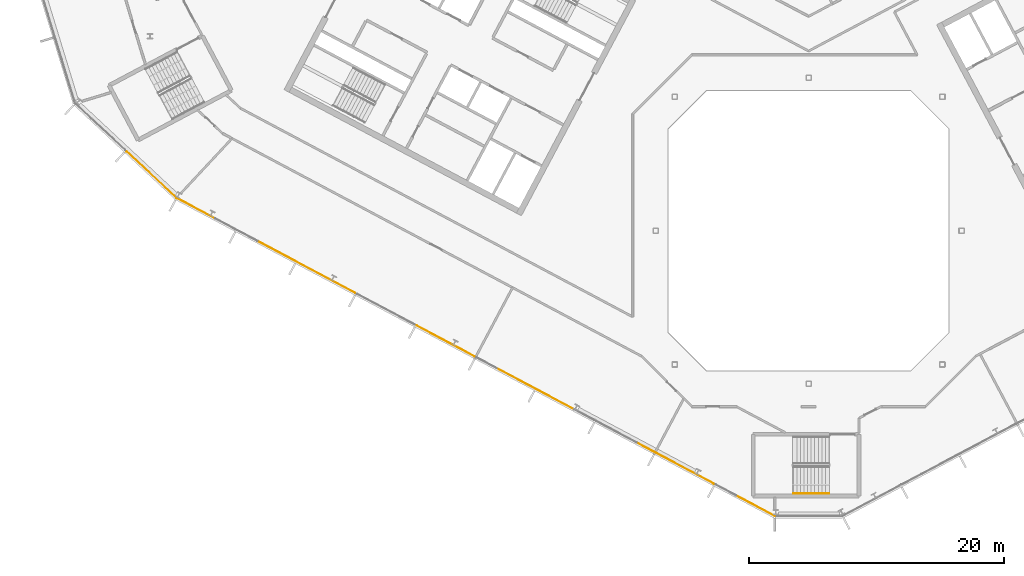
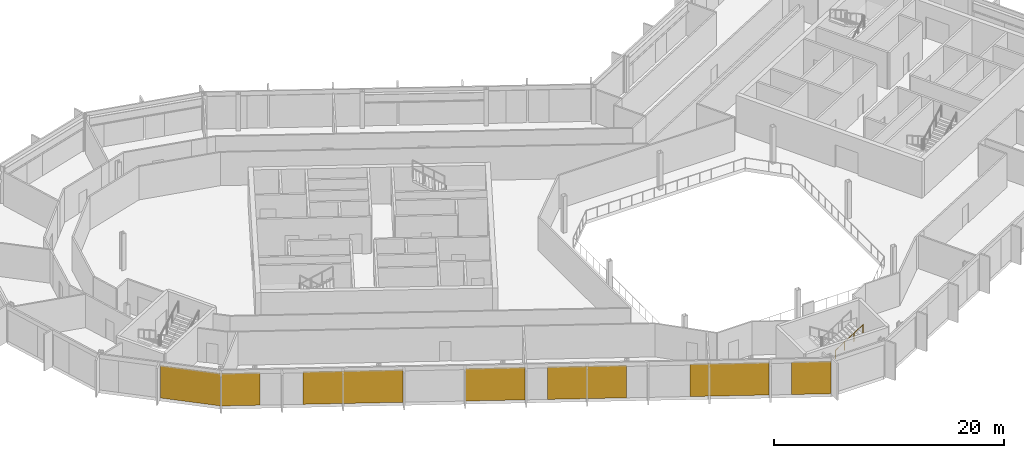
# One storey, part 19 of 26: 7 coverings, 1 railing, 2 elements without a shape of their own.
"""IFC4 building model written with IfcOpenShell, lengths in metres."""

from ifc_helpers import new_model, si_unit, direction, frame, origin, origin_2d, place, context, subcontext, project, spatial, polyline, rectangle, outline, extrude, material, layer, layer_set, type_object, element, aggregate, save


model = new_model("IFC4")

# Units and contexts
model_context = context("Model", 3, precision=1e-05, world=origin(), true_north=direction((0.0, 1.0)))
body_context = subcontext(model_context, "Body", "Model", "MODEL_VIEW")
ifc_project = project(units=[si_unit("LENGTHUNIT", "METRE"), si_unit("AREAUNIT", "SQUARE_METRE"), si_unit("VOLUMEUNIT", "CUBIC_METRE"), si_unit("PLANEANGLEUNIT", "RADIAN"), si_unit("MASSUNIT", "GRAM", prefix="KILO")], contexts=[model_context])

# Site, building, storey
site_placement = place(None, origin())
site = spatial("IfcSite", under=ifc_project, at=site_placement, CompositionType="ELEMENT")
building_placement = place(site_placement, origin())
building = spatial("IfcBuilding", under=site, at=building_placement, Name="Cormorant Relay Tower", CompositionType="ELEMENT")
storey_placement = place(building_placement, frame((0.0, 0.0, 285.300048828125)))
storey = spatial("IfcBuildingStorey", under=building, at=storey_placement, Name="L64", CompositionType="ELEMENT", Elevation=285.300048828125)

# Curtain wall, covering
ifc_material_1 = material(Name="Aluminium 6063-T6 anodised bronze", Category="aluminium")
ifc_layer_1 = layer(ifc_material_1, 0.199951171875)
ifc_layer_set_1 = layer_set([ifc_layer_1], Name="CW1 unitised bronze curtain wall with vertical fins")
curtain_wall_type = type_object("IfcCurtainWallType", Name="CW1 unitised bronze curtain wall with vertical fins", PredefinedType="NOTDEFINED", material=ifc_layer_set_1)
curtain_wall_1_placement = place(storey_placement, origin())
curtain_wall_1 = element("IfcCurtainWall", 1, at=curtain_wall_1_placement, inside=storey, type_object=curtain_wall_type, Name="CW1 curtain wall 15", PredefinedType="NOTDEFINED")
ifc_material_2 = material(Name="Pale bronze anodised aluminium insulated panel", Category="aluminium")
ifc_layer_2 = layer(ifc_material_2, 0.0400390625)
ifc_layer_set_2 = layer_set([ifc_layer_2], Name="CW1 pale bronze insulated panel 40")
covering_type = type_object("IfcCoveringType", Name="CW1 pale bronze insulated panel 40", PredefinedType="CLADDING", material=ifc_layer_set_2)
covering_1_placement = place(storey_placement, frame((-51.565185546875, 4.3974609375, 0.0), z_axis=(0.0, 0.0, 1.0), x_axis=(0.731353701619, -0.681998360062, 0.0)))
covering_1 = element("IfcCovering", 2, at=covering_1_placement, type_object=covering_type, Name="CW1 panel S02", PredefinedType="CLADDING", context=body_context, shape_type="SweptSolid", body=[
    extrude(rectangle(XDim=5.360107421875, YDim=0.0400390625, at=origin_2d()), origin(), (0.0, 0.0, 1.0), 3.449951171875),
])
aggregate(curtain_wall_1, [covering_1])

# Curtain wall, coverings
curtain_wall_2_placement = place(storey_placement, origin())
curtain_wall_2 = element("IfcCurtainWall", 3, at=curtain_wall_2_placement, inside=storey, type_object=curtain_wall_type, Name="CW1 curtain wall 16", PredefinedType="NOTDEFINED")
covering_2_placement = place(storey_placement, frame((-48.048583984375, 1.7412109375, 0.0), z_axis=(0.0, 0.0, 1.0), x_axis=(0.882947592859, -0.469471562786, 0.0)))
covering_2 = element("IfcCovering", 4, at=covering_2_placement, type_object=covering_type, Name="CW1 panel S00", PredefinedType="CLADDING", context=body_context, shape_type="SweptSolid", body=[
    extrude(rectangle(XDim=3.36669921875, YDim=0.0400390625, at=origin_2d()), origin(), (0.0, 0.0, 1.0), 3.449951171875),
])
covering_3_placement = place(storey_placement, frame((-39.417724609375, -2.847900390625, 0.0), z_axis=(0.0, 0.0, 1.0), x_axis=(0.882947592859, -0.469471562786, 0.0)))
covering_3 = element("IfcCovering", 5, at=covering_3_placement, type_object=covering_type, Name="CW1 panel S03", PredefinedType="CLADDING", context=body_context, shape_type="SweptSolid", body=[
    extrude(rectangle(XDim=8.68310546875, YDim=0.0400390625, at=origin_2d()), origin(), (0.0, 0.0, 1.0), 3.449951171875),
])
covering_4_placement = place(storey_placement, frame((-28.476806640625, -8.665283203125, 0.0), z_axis=(0.0, 0.0, 1.0), x_axis=(0.882947592859, -0.469471562786, 0.0)))
covering_4 = element("IfcCovering", 6, at=covering_4_placement, type_object=covering_type, Name="CW1 panel S05", PredefinedType="CLADDING", context=body_context, shape_type="SweptSolid", body=[
    extrude(rectangle(XDim=5.16650390625, YDim=0.0400390625, at=origin_2d()), origin(), (0.0, 0.0, 1.0), 3.449951171875),
])
covering_5_placement = place(storey_placement, frame((-21.435302734375, -12.4091796875, 0.0), z_axis=(0.0, 0.0, 1.0), x_axis=(0.882947592859, -0.469471562786, 0.0)))
covering_5 = element("IfcCovering", 7, at=covering_5_placement, type_object=covering_type, Name="CW1 panel S07", PredefinedType="CLADDING", context=body_context, shape_type="SweptSolid", body=[
    extrude(rectangle(XDim=6.88330078125, YDim=0.0400390625, at=origin_2d()), origin(), (0.0, 0.0, 1.0), 3.449951171875),
])
covering_6_placement = place(storey_placement, frame((-10.45751953125, -18.246337890625, 0.0), z_axis=(0.0, 0.0, 1.0), x_axis=(0.882947592859, -0.469471562786, 0.0)))
covering_6 = element("IfcCovering", 8, at=covering_6_placement, type_object=covering_type, Name="CW1 panel S10", PredefinedType="CLADDING", context=body_context, shape_type="SweptSolid", body=[
    extrude(rectangle(XDim=6.88330078125, YDim=0.0400390625, at=origin_2d()), origin(), (0.0, 0.0, 1.0), 3.449951171875),
])
covering_7_placement = place(storey_placement, frame((-4.177490234375, -21.58544921875, 0.0), z_axis=(0.0, 0.0, 1.0), x_axis=(0.882947592859, -0.469471562786, 0.0)))
covering_7 = element("IfcCovering", 9, at=covering_7_placement, type_object=covering_type, Name="CW1 panel S12", PredefinedType="CLADDING", context=body_context, shape_type="SweptSolid", body=[
    extrude(rectangle(XDim=3.441650390625, YDim=0.0400390625, at=origin_2d()), origin(), (0.0, 0.0, 1.0), 3.449951171875),
])
aggregate(curtain_wall_2, [covering_2, covering_3, covering_4, covering_5, covering_6, covering_7])

# Railing
ifc_material_3 = material(Name="Steel ASTM A572 Grade 50 (Fy 345 MPa)", Category="steel")
railing_type = type_object("IfcRailingType", Name="Stair handrail 900", PredefinedType="HANDRAIL", material=ifc_material_3)
railing_placement = place(storey_placement, frame((-1.199951171875, -20.625, 2.127197265625)))
element("IfcRailing", 10, at=railing_placement, inside=storey, type_object=railing_type, Name="L64 RK1 stair handrail 2", PredefinedType="HANDRAIL", context=body_context, shape_type="SweptSolid", body=[
    extrude(outline(polyline([(0.022216796875, 0.00927734375), (0.00927734375, 0.022216796875), (-0.00927734375, 0.022216796875), (-0.022216796875, 0.00927734375), (-0.022216796875, -0.00927734375), (-0.00927734375, -0.022216796875), (0.00927734375, -0.022216796875), (0.022216796875, -0.00927734375), (0.022216796875, 0.00927734375)])), frame((0.0, 0.0, 0.8759765625), z_axis=(0.844908973607, 0.0, 0.534910110503), x_axis=(0.0, 1.0, 0.0)), (0.0, 0.0, 1.0), 3.31396484375),
    extrude(outline(polyline([(0.019287109375, 0.008056640625), (0.008056640625, 0.019287109375), (-0.008056640625, 0.019287109375), (-0.019287109375, 0.008056640625), (-0.019287109375, -0.008056640625), (-0.008056640625, -0.019287109375), (0.008056640625, -0.019287109375), (0.019287109375, -0.008056640625), (0.019287109375, 0.008056640625)])), origin(), (0.0, 0.0, 1.0), 0.851806640625),
    extrude(outline(polyline([(0.019287109375, 0.008056640625), (0.008056640625, 0.019287109375), (-0.008056640625, 0.019287109375), (-0.019287109375, 0.008056640625), (-0.019287109375, -0.008056640625), (-0.008056640625, -0.019287109375), (0.008056640625, -0.019287109375), (0.019287109375, -0.008056640625), (0.019287109375, 0.008056640625)])), frame((0.933349609375, 0.0, 0.5908203125)), (0.0, 0.0, 1.0), 0.851806640625),
    extrude(outline(polyline([(0.019287109375, 0.008056640625), (0.008056640625, 0.019287109375), (-0.008056640625, 0.019287109375), (-0.019287109375, 0.008056640625), (-0.019287109375, -0.008056640625), (-0.008056640625, -0.019287109375), (0.008056640625, -0.019287109375), (0.019287109375, -0.008056640625), (0.019287109375, 0.008056640625)])), frame((1.86669921875, 0.0, 1.181884765625)), (0.0, 0.0, 1.0), 0.851806640625),
    extrude(outline(polyline([(0.019287109375, 0.008056640625), (0.008056640625, 0.019287109375), (-0.008056640625, 0.019287109375), (-0.019287109375, 0.008056640625), (-0.019287109375, -0.008056640625), (-0.008056640625, -0.019287109375), (0.008056640625, -0.019287109375), (0.019287109375, -0.008056640625), (0.019287109375, 0.008056640625)])), frame((2.800048828125, 0.0, 1.772705078125)), (0.0, 0.0, 1.0), 0.851806640625),
])

save(model, "model.ifc")
